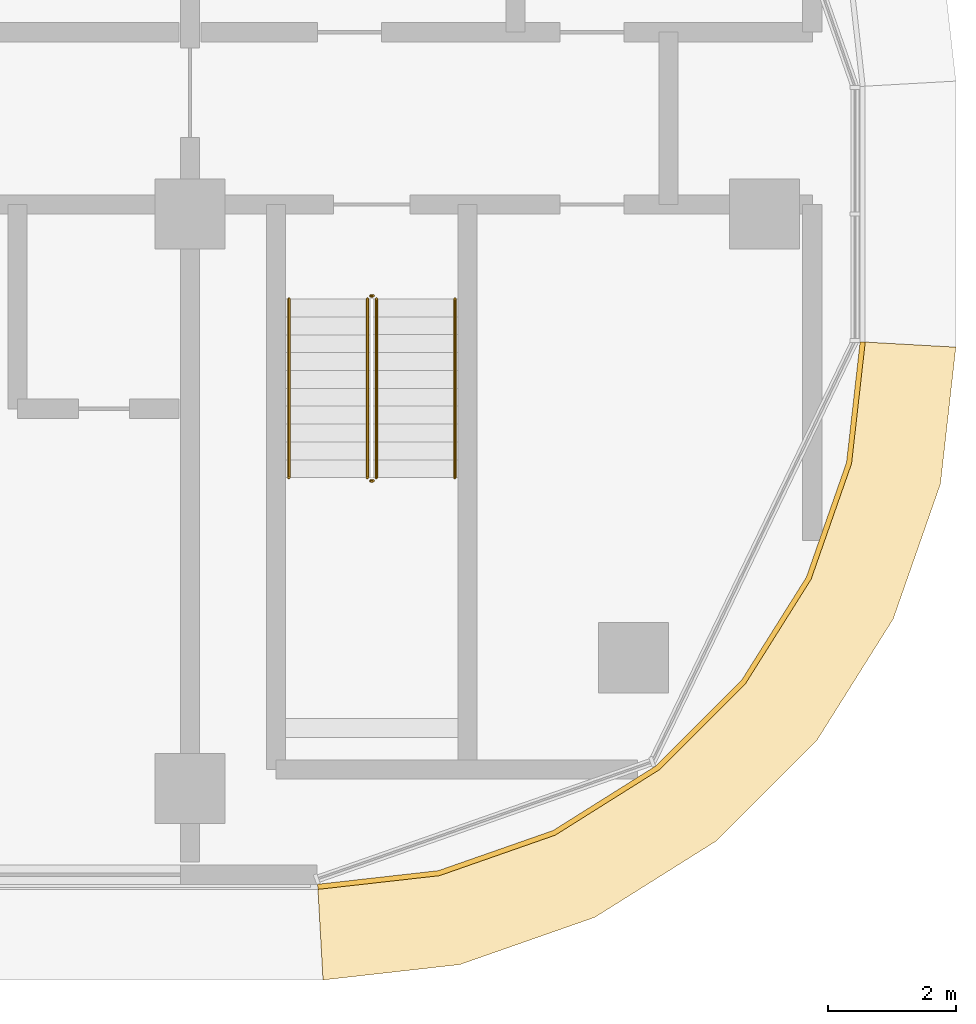
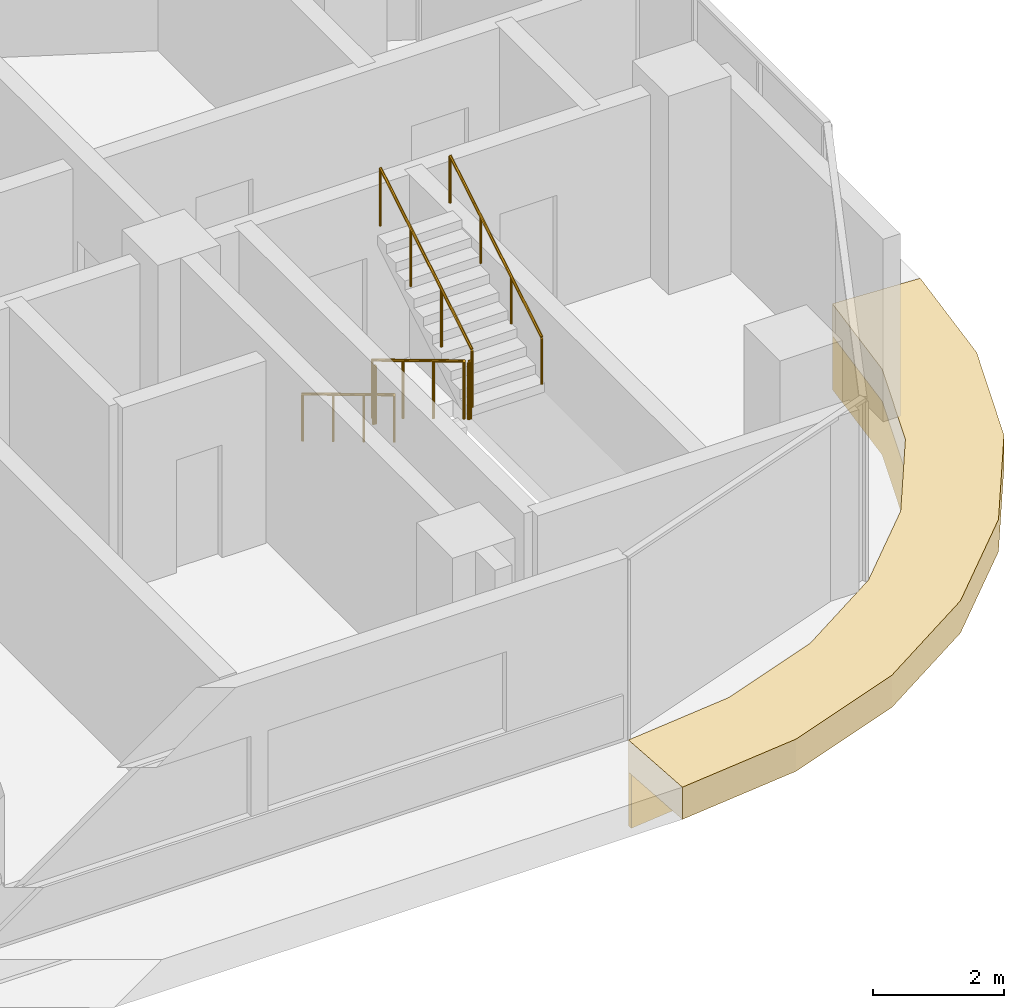
# One storey, part 21 of 24: 6 railings, 2 coverings.
"""IFC4 building model written with IfcOpenShell, lengths in metres."""

from ifc_helpers import new_model, si_unit, direction, frame, origin, origin_2d, place, context, subcontext, project, spatial, polyline, circle, outline, extrude, material, layer, layer_set, type_object, element, save


model = new_model("IFC4")

# Units and contexts
model_context = context("Model", 3, precision=1e-05, world=origin(), true_north=direction((0.0, 1.0)))
body_context = subcontext(model_context, "Body", "Model", "MODEL_VIEW")
ifc_project = project(units=[si_unit("LENGTHUNIT", "METRE"), si_unit("AREAUNIT", "SQUARE_METRE"), si_unit("VOLUMEUNIT", "CUBIC_METRE"), si_unit("PLANEANGLEUNIT", "RADIAN"), si_unit("MASSUNIT", "GRAM", prefix="KILO")], contexts=[model_context])

# Site, building, storey
site_placement = place(None, origin())
site = spatial("IfcSite", under=ifc_project, at=site_placement, CompositionType="ELEMENT")
building_placement = place(site_placement, origin())
building = spatial("IfcBuilding", under=site, at=building_placement, Name="Ogive Portal Towers", CompositionType="ELEMENT")
storey_placement = place(building_placement, frame((0.0, 0.0, 142.199951171875)))
storey = spatial("IfcBuildingStorey", under=building, at=storey_placement, Name="L34", CompositionType="ELEMENT", Elevation=142.199951171875)

# Railings
ifc_material_1 = material(Name="Stainless steel balustrade", Category="steel")
railing_type_1 = type_object("IfcRailingType", Name="INT-GUARD", PredefinedType="GUARDRAIL", material=ifc_material_1)
railing_1_placement = place(storey_placement, frame((88.280029296875, 29.169921875, 0.168212890625)))
element("IfcRailing", 1, at=railing_1_placement, inside=storey, type_object=railing_type_1, Name="L34 ST-A4 stair guard 1", PredefinedType="GUARDRAIL", context=body_context, shape_type="SweptSolid", body=[
    extrude(circle(Radius=0.02392578125, at=origin_2d()), frame((0.0, 0.0, 1.076171875), z_axis=(0.0, -0.857222391501, 0.514946377315), x_axis=(1.0, 0.0, 0.0)), (0.0, 0.0, 1.0), 3.26611328125),
    extrude(circle(Radius=0.02099609375, at=origin_2d()), origin(), (0.0, 0.0, 1.0), 1.052001953125),
    extrude(circle(Radius=0.02099609375, at=origin_2d()), frame((0.0, -0.933349609375, 0.560546875)), (0.0, 0.0, 1.0), 1.052001953125),
    extrude(circle(Radius=0.02099609375, at=origin_2d()), frame((0.0, -1.866455078125, 1.121337890625)), (0.0, 0.0, 1.0), 1.052001953125),
    extrude(circle(Radius=0.02099609375, at=origin_2d()), frame((0.0, -2.7998046875, 1.681884765625)), (0.0, 0.0, 1.0), 1.052001953125),
])
railing_2_placement = place(storey_placement, frame((88.330078125, 26.320068359375, 1.85009765625)))
element("IfcRailing", 2, at=railing_2_placement, inside=storey, type_object=railing_type_1, Name="L34 ST-A4 stair guard 2", PredefinedType="GUARDRAIL", context=body_context, shape_type="SweptSolid", body=[
    extrude(circle(Radius=0.02392578125, at=origin_2d()), frame((0.0, 0.0, 1.076171875), z_axis=(1.0, 0.0, 0.0), x_axis=(0.0, 1.0, 0.0)), (0.0, 0.0, 1.0), 0.0400390625),
    extrude(circle(Radius=0.02099609375, at=origin_2d()), origin(), (0.0, 0.0, 1.0), 1.052001953125),
    extrude(circle(Radius=0.02099609375, at=origin_2d()), frame((0.0400390625, 0.0, 0.0)), (0.0, 0.0, 1.0), 1.052001953125),
])
railing_3_placement = place(storey_placement, frame((88.419921875, 26.3701171875, 2.018310546875)))
element("IfcRailing", 3, at=railing_3_placement, inside=storey, type_object=railing_type_1, Name="L34 ST-A4 stair guard 3", PredefinedType="GUARDRAIL", context=body_context, shape_type="SweptSolid", body=[
    extrude(circle(Radius=0.02392578125, at=origin_2d()), frame((0.0, 0.0, 1.076171875), z_axis=(0.0, 0.857255387014, 0.514891446264), x_axis=(-1.0, 0.0, 0.0)), (0.0, 0.0, 1.0), 3.26611328125),
    extrude(circle(Radius=0.02099609375, at=origin_2d()), origin(), (0.0, 0.0, 1.0), 1.052001953125),
    extrude(circle(Radius=0.02099609375, at=origin_2d()), frame((0.0, 0.933349609375, 0.560546875)), (0.0, 0.0, 1.0), 1.052001953125),
    extrude(circle(Radius=0.02099609375, at=origin_2d()), frame((0.0, 1.866455078125, 1.12109375)), (0.0, 0.0, 1.0), 1.052001953125),
    extrude(circle(Radius=0.02099609375, at=origin_2d()), frame((0.0, 2.7998046875, 1.681640625)), (0.0, 0.0, 1.0), 1.052001953125),
])
railing_4_placement = place(storey_placement, frame((88.330078125, 29.219970703125, 0.0)))
element("IfcRailing", 4, at=railing_4_placement, inside=storey, type_object=railing_type_1, Name="L34 ST-A4 stair guard 4", PredefinedType="GUARDRAIL", context=body_context, shape_type="SweptSolid", body=[
    extrude(circle(Radius=0.02392578125, at=origin_2d()), frame((0.0, 0.0, 1.076171875), z_axis=(1.0, 0.0, 0.0), x_axis=(0.0, 1.0, 0.0)), (0.0, 0.0, 1.0), 0.0400390625),
    extrude(circle(Radius=0.02099609375, at=origin_2d()), origin(), (0.0, 0.0, 1.0), 1.052001953125),
    extrude(circle(Radius=0.02099609375, at=origin_2d()), frame((0.0400390625, 0.0, 0.0)), (0.0, 0.0, 1.0), 1.052001953125),
])
ifc_material_2 = material(Name="Stainless steel handrail", Category="steel")
railing_type_2 = type_object("IfcRailingType", Name="INT-HANDRAIL", PredefinedType="HANDRAIL", material=ifc_material_2)
railing_5_placement = place(storey_placement, frame((87.050048828125, 29.169921875, 0.168212890625)))
element("IfcRailing", 5, at=railing_5_placement, inside=storey, type_object=railing_type_2, Name="L34 ST-A4 stair handrail 1", PredefinedType="HANDRAIL", context=body_context, shape_type="SweptSolid", body=[
    extrude(circle(Radius=0.02392578125, at=origin_2d()), frame((0.0, 0.0, 0.8759765625), z_axis=(0.0, -0.857222391501, 0.514946377315), x_axis=(1.0, 0.0, 0.0)), (0.0, 0.0, 1.0), 3.26611328125),
    extrude(circle(Radius=0.02099609375, at=origin_2d()), origin(), (0.0, 0.0, 1.0), 0.851806640625),
    extrude(circle(Radius=0.02099609375, at=origin_2d()), frame((0.0, -0.933349609375, 0.560546875)), (0.0, 0.0, 1.0), 0.851806640625),
    extrude(circle(Radius=0.02099609375, at=origin_2d()), frame((0.0, -1.866455078125, 1.121337890625)), (0.0, 0.0, 1.0), 0.851806640625),
    extrude(circle(Radius=0.02099609375, at=origin_2d()), frame((0.0, -2.7998046875, 1.681884765625)), (0.0, 0.0, 1.0), 0.851806640625),
])
railing_6_placement = place(storey_placement, frame((89.64990234375, 26.3701171875, 2.018310546875)))
element("IfcRailing", 6, at=railing_6_placement, inside=storey, type_object=railing_type_2, Name="L34 ST-A4 stair handrail 2", PredefinedType="HANDRAIL", context=body_context, shape_type="SweptSolid", body=[
    extrude(circle(Radius=0.02392578125, at=origin_2d()), frame((0.0, 0.0, 0.8759765625), z_axis=(0.0, 0.857255387014, 0.514891446264), x_axis=(-1.0, 0.0, 0.0)), (0.0, 0.0, 1.0), 3.26611328125),
    extrude(circle(Radius=0.02099609375, at=origin_2d()), origin(), (0.0, 0.0, 1.0), 0.851806640625),
    extrude(circle(Radius=0.02099609375, at=origin_2d()), frame((0.0, 0.933349609375, 0.560546875)), (0.0, 0.0, 1.0), 0.851806640625),
    extrude(circle(Radius=0.02099609375, at=origin_2d()), frame((0.0, 1.866455078125, 1.12109375)), (0.0, 0.0, 1.0), 0.851806640625),
    extrude(circle(Radius=0.02099609375, at=origin_2d()), frame((0.0, 2.7998046875, 1.681640625)), (0.0, 0.0, 1.0), 0.851806640625),
])

# Coverings
ifc_material_3 = material(Name="Limestone cladding on lightweight block wall", Category="masonry")
ifc_layer_1 = layer(ifc_material_3, 0.080078125)
ifc_layer_set_1 = layer_set([ifc_layer_1], Name="STONE SPANDREL 80")
covering_type_1 = type_object("IfcCoveringType", Name="STONE SPANDREL 80", PredefinedType="CLADDING", material=ifc_layer_set_1)
covering_1_placement = place(storey_placement, frame((0.0, 0.0, -1.599853515625)))
element("IfcCovering", 7, at=covering_1_placement, inside=storey, type_object=covering_type_1, Name="Stone spandrel A1-F06", PredefinedType="CLADDING", context=body_context, shape_type="SweptSolid", body=[
    extrude(outline(polyline([(87.5, 20.0), (89.391357421875, 20.213134765625), (91.18798828125, 20.841796875), (92.799560546875, 21.8544921875), (94.1455078125, 23.200439453125), (95.158203125, 24.81201171875), (95.786865234375, 26.608642578125), (96.0, 28.5), (96.080078125, 28.49560546875), (95.865478515625, 26.590576171875), (95.230712890625, 24.777099609375), (94.20849609375, 23.150146484375), (92.849853515625, 21.79150390625), (91.222900390625, 20.769287109375), (89.409423828125, 20.134521484375), (87.50439453125, 19.919921875), (87.5, 20.0)])), origin(), (0.0, 0.0, 1.0), 1.0),
])
ifc_layer_2 = layer(ifc_material_3, 0.60009765625)
ifc_layer_set_2 = layer_set([ifc_layer_2], Name="SUNSHADE LIP 600")
covering_type_2 = type_object("IfcCoveringType", Name="SUNSHADE LIP 600", PredefinedType="CLADDING", material=ifc_layer_set_2)
covering_2_placement = place(storey_placement, frame((0.0, 0.0, -0.599853515625)))
element("IfcCovering", 8, at=covering_2_placement, inside=storey, type_object=covering_type_2, Name="Sunshade lip A1-F06", PredefinedType="CLADDING", context=body_context, shape_type="SweptSolid", body=[
    extrude(outline(polyline([(87.5, 20.0), (89.391357421875, 20.213134765625), (91.18798828125, 20.841796875), (92.799560546875, 21.8544921875), (94.1455078125, 23.200439453125), (95.158203125, 24.81201171875), (95.786865234375, 26.608642578125), (96.0, 28.5), (97.5, 28.415771484375), (97.258544921875, 26.272705078125), (96.518310546875, 24.156982421875), (95.32568359375, 22.25927734375), (93.74072265625, 20.67431640625), (91.843017578125, 19.481689453125), (89.727294921875, 18.741455078125), (87.584228515625, 18.5), (87.5, 20.0)])), origin(), (0.0, 0.0, 1.0), 0.599853515625),
])

save(model, "model.ifc")
